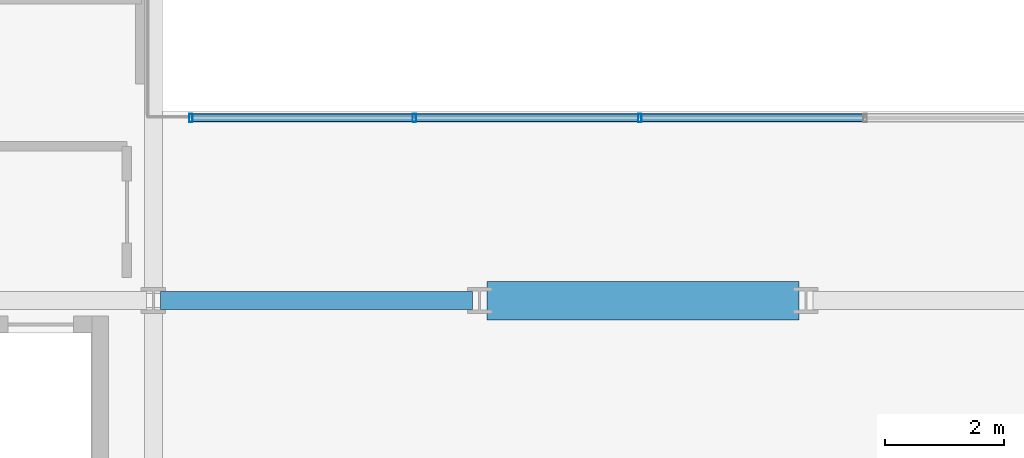
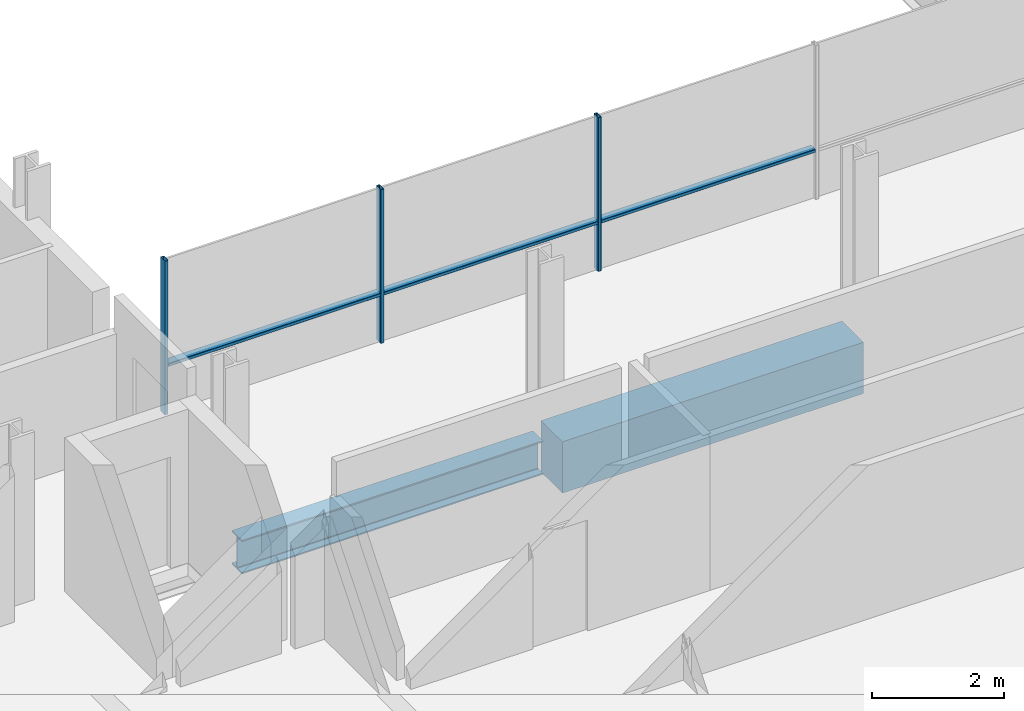
# One storey, part 4 of 41: 6 members, 2 beams, 1 element without a shape of its own.
"""IFC4 building model written with IfcOpenShell, lengths in metres."""

from ifc_helpers import new_model, si_unit, direction, frame, origin, origin_2d, place, context, subcontext, project, spatial, rectangle, hollow_rectangle, i_section, extrude, material, layer, layer_set, material_profile, profile_set, type_object, element, aggregate, save


model = new_model("IFC4")

# Units and contexts
model_context = context("Model", 3, precision=1e-05, world=origin(), true_north=direction((0.0, 1.0)))
body_context = subcontext(model_context, "Body", "Model", "MODEL_VIEW")
ifc_project = project(units=[si_unit("LENGTHUNIT", "METRE"), si_unit("AREAUNIT", "SQUARE_METRE"), si_unit("VOLUMEUNIT", "CUBIC_METRE"), si_unit("PLANEANGLEUNIT", "RADIAN"), si_unit("MASSUNIT", "GRAM", prefix="KILO")], contexts=[model_context])

# Site, building, storey
site_placement = place(None, origin())
site = spatial("IfcSite", under=ifc_project, at=site_placement, CompositionType="ELEMENT")
building_placement = place(site_placement, origin())
building = spatial("IfcBuilding", under=site, at=building_placement, Name="Brevholm Reach", CompositionType="ELEMENT")
storey_placement = place(building_placement, frame((0.0, 0.0, 93.10009765625)))
storey = spatial("IfcBuildingStorey", under=building, at=storey_placement, Name="L27", CompositionType="ELEMENT", Elevation=93.10009765625)

# Beams
ifc_material_1 = material(Name="Concrete C60/75", Category="concrete")
ifc_material_profile_1 = material_profile(ifc_material_1, rectangle(XDim=0.64990234375, YDim=0.949951171875, at=origin_2d()), Name="RC 650x950")
ifc_profile_set_1 = profile_set([ifc_material_profile_1], Name="Concrete C60/75")
beam_type_1 = type_object("IfcBeamType", Name="BM-CB650", PredefinedType="LINTEL", material=ifc_profile_set_1)
beam_1_placement = place(storey_placement, frame((27.3701171875, 10.0, -0.705078125), z_axis=(1.0, 0.0, 0.0), x_axis=(0.0, 1.0, 0.0)))
element("IfcBeam", 1, at=beam_1_placement, inside=storey, type_object=beam_type_1, Name="L27 CB-01 Framing Beam", PredefinedType="LINTEL", context=body_context, shape_type="SweptSolid", body=[
    extrude(rectangle(XDim=0.64990234375, YDim=0.949951171875, at=origin_2d()), origin(), (0.0, 0.0, 1.0), 5.259765625),
])
ifc_material_2 = material(Name="Structural Steel S355J2", Category="steel")
ifc_material_profile_2 = material_profile(ifc_material_2, i_section(OverallWidth=0.30712890625, OverallDepth=0.6201171875, WebThickness=0.01416015625, FlangeThickness=0.023681640625, FilletRadius=0.0166015625, at=origin_2d()), Name="UKB 610x305x179")
ifc_profile_set_2 = profile_set([ifc_material_profile_2], Name="Structural Steel S355J2")
beam_type_2 = type_object("IfcBeamType", Name="BM-UKB610H", PredefinedType="USERDEFINED", material=ifc_profile_set_2)
beam_2_placement = place(storey_placement, frame((21.8701171875, 10.0, -0.540283203125), z_axis=(1.0, 0.0, 0.0), x_axis=(0.0, 1.0, 0.0)))
element("IfcBeam", 2, at=beam_2_placement, inside=storey, type_object=beam_type_2, Name="L27 G-06 Framing Beam", ObjectType="GIRDER", PredefinedType="USERDEFINED", context=body_context, shape_type="SweptSolid", body=[
    extrude(i_section(OverallWidth=0.30712890625, OverallDepth=0.6201171875, WebThickness=0.01416015625, FlangeThickness=0.023681640625, FilletRadius=0.0166015625, at=origin_2d()), origin(), (0.0, 0.0, 1.0), 5.259765625),
])

# Curtain wall, members
ifc_material_3 = material(Name="Dark Anodised Aluminium 6063-T6 and Solar-Control Glass", Category="aluminium")
ifc_layer = layer(ifc_material_3, 0.139892578125)
ifc_layer_set = layer_set([ifc_layer], Name="Dark Anodised Aluminium 6063-T6 and Solar-Control Glass")
curtain_wall_type = type_object("IfcCurtainWallType", Name="CW-02", PredefinedType="NOTDEFINED", material=ifc_layer_set)
curtain_wall_placement = place(storey_placement, origin())
curtain_wall = element("IfcCurtainWall", 3, at=curtain_wall_placement, inside=storey, type_object=curtain_wall_type, Name="L27 Curtain Wall CW-02", PredefinedType="NOTDEFINED")
ifc_material_4 = material(Name="Dark Anodised Aluminium 6063-T6", Category="aluminium")
ifc_material_profile_3 = material_profile(ifc_material_4, hollow_rectangle(XDim=0.06005859375, YDim=0.139892578125, WallThickness=0.0048828125, InnerFilletRadius=0.0048828125, OuterFilletRadius=0.010009765625, at=origin_2d()), Name="RHS 140x60x5")
ifc_profile_set_3 = profile_set([ifc_material_profile_3], Name="Dark Anodised Aluminium 6063-T6")
member_type_1 = type_object("IfcMemberType", Name="CWM-140", PredefinedType="MULLION", material=ifc_profile_set_3)
member_1_placement = place(storey_placement, frame((22.3798828125, 13.080078125, 0.0), z_axis=(0.0, 0.0, 1.0), x_axis=(1.0, 0.0, 0.0)))
member_1 = element("IfcMember", 4, at=member_1_placement, type_object=member_type_1, Name="CM-140 Mullion 1", PredefinedType="MULLION", context=body_context, shape_type="SweptSolid", body=[
    extrude(hollow_rectangle(XDim=0.06005859375, YDim=0.139892578125, WallThickness=0.0048828125, InnerFilletRadius=0.0048828125, OuterFilletRadius=0.010009765625, at=origin_2d()), origin(), (0.0, 0.0, 1.0), 2.83984375),
])
member_2_placement = place(storey_placement, frame((26.14990234375, 13.080078125, 0.0), z_axis=(0.0, 0.0, 1.0), x_axis=(1.0, 0.0, 0.0)))
member_2 = element("IfcMember", 5, at=member_2_placement, type_object=member_type_1, Name="CM-140 Mullion 2", PredefinedType="MULLION", context=body_context, shape_type="SweptSolid", body=[
    extrude(hollow_rectangle(XDim=0.06005859375, YDim=0.139892578125, WallThickness=0.0048828125, InnerFilletRadius=0.0048828125, OuterFilletRadius=0.010009765625, at=origin_2d()), origin(), (0.0, 0.0, 1.0), 2.83984375),
])
member_3_placement = place(storey_placement, frame((29.949951171875, 13.080078125, 0.0), z_axis=(0.0, 0.0, 1.0), x_axis=(1.0, 0.0, 0.0)))
member_3 = element("IfcMember", 6, at=member_3_placement, type_object=member_type_1, Name="CM-140 Mullion 3", PredefinedType="MULLION", context=body_context, shape_type="SweptSolid", body=[
    extrude(hollow_rectangle(XDim=0.06005859375, YDim=0.139892578125, WallThickness=0.0048828125, InnerFilletRadius=0.0048828125, OuterFilletRadius=0.010009765625, at=origin_2d()), origin(), (0.0, 0.0, 1.0), 2.83984375),
])
ifc_material_5 = material(Name="Dark Anodised Aluminium 6063-T6", Category="aluminium")
ifc_material_profile_4 = material_profile(ifc_material_5, hollow_rectangle(XDim=0.06005859375, YDim=0.139892578125, WallThickness=0.0048828125, InnerFilletRadius=0.0048828125, OuterFilletRadius=0.010009765625, at=origin_2d()), Name="RHS 140x60x5")
ifc_profile_set_4 = profile_set([ifc_material_profile_4], Name="Dark Anodised Aluminium 6063-T6")
member_type_2 = type_object("IfcMemberType", Name="CWT-140", PredefinedType="NOTDEFINED", material=ifc_profile_set_4)
member_4_placement = place(storey_placement, frame((22.409912109375, 13.080078125, 0.89990234375), z_axis=(1.0, 0.0, 0.0), x_axis=(0.0, 0.0, 1.0)))
member_4 = element("IfcMember", 7, at=member_4_placement, type_object=member_type_2, Name="CT-140 Transom 1.1", ObjectType="TRANSOM", PredefinedType="USERDEFINED", context=body_context, shape_type="SweptSolid", body=[
    extrude(hollow_rectangle(XDim=0.06005859375, YDim=0.139892578125, WallThickness=0.0048828125, InnerFilletRadius=0.0048828125, OuterFilletRadius=0.010009765625, at=origin_2d()), origin(), (0.0, 0.0, 1.0), 3.710205078125),
])
member_5_placement = place(storey_placement, frame((26.179931640625, 13.080078125, 0.89990234375), z_axis=(1.0, 0.0, 0.0), x_axis=(0.0, 0.0, 1.0)))
member_5 = element("IfcMember", 8, at=member_5_placement, type_object=member_type_2, Name="CT-140 Transom 2.1", ObjectType="TRANSOM", PredefinedType="USERDEFINED", context=body_context, shape_type="SweptSolid", body=[
    extrude(hollow_rectangle(XDim=0.06005859375, YDim=0.139892578125, WallThickness=0.0048828125, InnerFilletRadius=0.0048828125, OuterFilletRadius=0.010009765625, at=origin_2d()), origin(), (0.0, 0.0, 1.0), 3.739990234375),
])
member_6_placement = place(storey_placement, frame((29.97998046875, 13.080078125, 0.89990234375), z_axis=(1.0, 0.0, 0.0), x_axis=(0.0, 0.0, 1.0)))
member_6 = element("IfcMember", 9, at=member_6_placement, type_object=member_type_2, Name="CT-140 Transom 3.1", ObjectType="TRANSOM", PredefinedType="USERDEFINED", context=body_context, shape_type="SweptSolid", body=[
    extrude(hollow_rectangle(XDim=0.06005859375, YDim=0.139892578125, WallThickness=0.0048828125, InnerFilletRadius=0.0048828125, OuterFilletRadius=0.010009765625, at=origin_2d()), origin(), (0.0, 0.0, 1.0), 3.739990234375),
])
aggregate(curtain_wall, [member_1, member_2, member_3, member_4, member_5, member_6])

save(model, "model.ifc")
